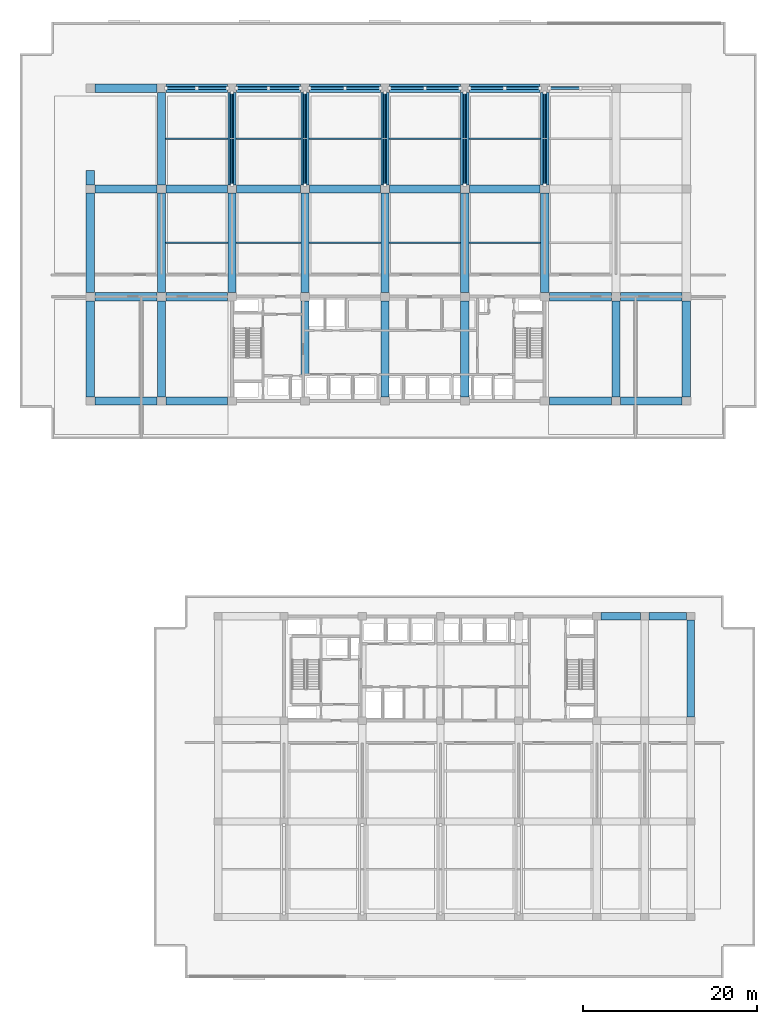
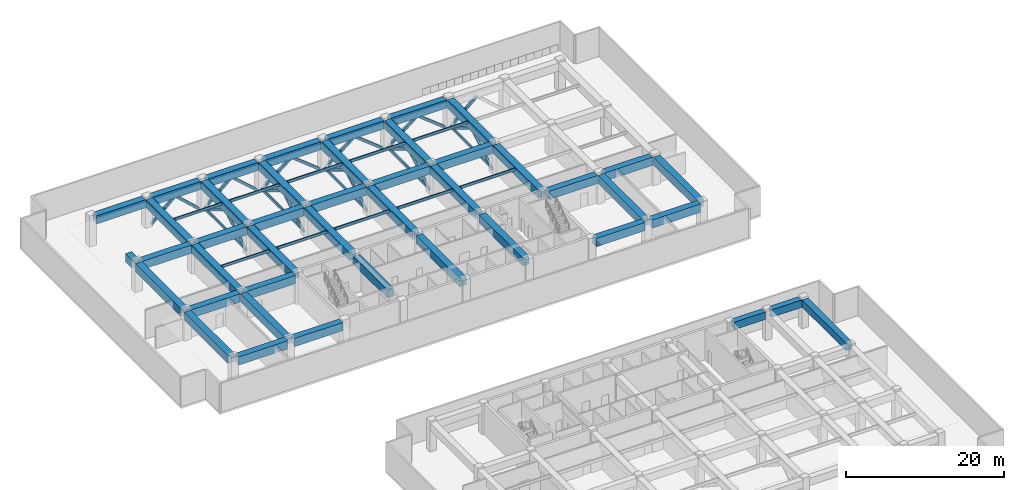
# One storey, part 2 of 21: 54 beams, 26 members.
"""IFC4 building model written with IfcOpenShell, lengths in metres."""

from ifc_helpers import new_model, si_unit, direction, frame, origin, origin_2d, place, context, subcontext, project, spatial, rectangle, hollow_rectangle, hollow_circle, i_section, extrude, material, material_profile, profile_set, type_object, element, save


model = new_model("IFC4")

# Units and contexts
model_context = context("Model", 3, precision=1e-05, world=origin(), true_north=direction((0.0, 1.0)))
body_context = subcontext(model_context, "Body", "Model", "MODEL_VIEW")
ifc_project = project(units=[si_unit("LENGTHUNIT", "METRE"), si_unit("AREAUNIT", "SQUARE_METRE"), si_unit("VOLUMEUNIT", "CUBIC_METRE"), si_unit("PLANEANGLEUNIT", "RADIAN"), si_unit("MASSUNIT", "GRAM", prefix="KILO")], contexts=[model_context])

# Site, building, storey
site_placement = place(None, origin())
site = spatial("IfcSite", under=ifc_project, at=site_placement, CompositionType="ELEMENT")
building_placement = place(site_placement, origin())
building = spatial("IfcBuilding", under=site, at=building_placement, Name="Korimba Cascade Residences", CompositionType="ELEMENT")
storey_placement = place(building_placement, frame((0.0, 0.0, 76.0)))
storey = spatial("IfcBuildingStorey", under=building, at=storey_placement, Name="L21", CompositionType="ELEMENT", Elevation=76.0)

# Beams
ifc_material_1 = material(Name="Steel S355", Category="steel")
ifc_material_profile_1 = material_profile(ifc_material_1, i_section(OverallWidth=0.1787109375, OverallDepth=0.409423828125, WebThickness=0.0087890625, FlangeThickness=0.014404296875, FilletRadius=0.01025390625, at=origin_2d()), Name="Steel S355")
ifc_profile_set_1 = profile_set([ifc_material_profile_1], Name="Steel S355")
beam_type_1 = type_object("IfcBeamType", Name="BM-STL-UB406", PredefinedType="JOIST", material=ifc_profile_set_1)
beam_1_placement = place(storey_placement, frame((68.47509765625, 73.39990234375, 4.275390625), z_axis=(1.0, 0.0, 0.0), x_axis=(0.0, 1.0, 0.0)))
element("IfcBeam", 1, at=beam_1_placement, inside=storey, type_object=beam_type_1, Name="L21 T1 Floor Joist 1.2", PredefinedType="JOIST", context=body_context, shape_type="SweptSolid", body=[
    extrude(i_section(OverallWidth=0.1787109375, OverallDepth=0.409423828125, WebThickness=0.0087890625, FlangeThickness=0.014404296875, FilletRadius=0.01025390625, at=origin_2d()), origin(), (0.0, 0.0, 1.0), 7.14990234375),
])
beam_2_placement = place(storey_placement, frame((76.574951171875, 73.39990234375, 4.275390625), z_axis=(1.0, 0.0, 0.0), x_axis=(0.0, 1.0, 0.0)))
element("IfcBeam", 2, at=beam_2_placement, inside=storey, type_object=beam_type_1, Name="L21 T1 Floor Joist 1.3", PredefinedType="JOIST", context=body_context, shape_type="SweptSolid", body=[
    extrude(i_section(OverallWidth=0.1787109375, OverallDepth=0.409423828125, WebThickness=0.0087890625, FlangeThickness=0.014404296875, FilletRadius=0.01025390625, at=origin_2d()), origin(), (0.0, 0.0, 1.0), 7.449951171875),
])
for number, where, z_axis, x_axis, name in (
    (3, (84.97509765625, 73.39990234375, 4.275390625), (1.0, 0.0, 0.0), (0.0, 1.0, 0.0), "L21 T1 Floor Joist 1.4"),
    (4, (94.175048828125, 73.39990234375, 4.275390625), (1.0, 0.0, 0.0), (0.0, 1.0, 0.0), "L21 T1 Floor Joist 1.5"),
    (5, (103.375, 73.39990234375, 4.275390625), (1.0, 0.0, 0.0), (0.0, 1.0, 0.0), "L21 T1 Floor Joist 1.6"),
):
    element("IfcBeam", number, at=place(storey_placement, frame(where, z_axis=z_axis, x_axis=x_axis)), inside=storey, type_object=beam_type_1, Name=name, PredefinedType="JOIST", context=body_context, shape_type="SweptSolid", body=[
        extrude(i_section(OverallWidth=0.1787109375, OverallDepth=0.409423828125, WebThickness=0.0087890625, FlangeThickness=0.014404296875, FilletRadius=0.01025390625, at=origin_2d()), origin(), (0.0, 0.0, 1.0), 8.25),
    ])
beam_3_placement = place(storey_placement, frame((68.47509765625, 85.39990234375, 4.275390625), z_axis=(1.0, 0.0, 0.0), x_axis=(0.0, 1.0, 0.0)))
element("IfcBeam", 6, at=beam_3_placement, inside=storey, type_object=beam_type_1, Name="L21 T1 Floor Joist 2.2", PredefinedType="JOIST", context=body_context, shape_type="SweptSolid", body=[
    extrude(i_section(OverallWidth=0.1787109375, OverallDepth=0.409423828125, WebThickness=0.0087890625, FlangeThickness=0.014404296875, FilletRadius=0.01025390625, at=origin_2d()), origin(), (0.0, 0.0, 1.0), 7.14990234375),
])
beam_4_placement = place(storey_placement, frame((76.574951171875, 85.39990234375, 4.275390625), z_axis=(1.0, 0.0, 0.0), x_axis=(0.0, 1.0, 0.0)))
element("IfcBeam", 7, at=beam_4_placement, inside=storey, type_object=beam_type_1, Name="L21 T1 Floor Joist 2.3", PredefinedType="JOIST", context=body_context, shape_type="SweptSolid", body=[
    extrude(i_section(OverallWidth=0.1787109375, OverallDepth=0.409423828125, WebThickness=0.0087890625, FlangeThickness=0.014404296875, FilletRadius=0.01025390625, at=origin_2d()), origin(), (0.0, 0.0, 1.0), 7.449951171875),
])
for number, where, z_axis, x_axis, name in (
    (8, (84.97509765625, 85.39990234375, 4.275390625), (1.0, 0.0, 0.0), (0.0, 1.0, 0.0), "L21 T1 Floor Joist 2.4"),
    (9, (94.175048828125, 85.39990234375, 4.275390625), (1.0, 0.0, 0.0), (0.0, 1.0, 0.0), "L21 T1 Floor Joist 2.5"),
    (10, (103.375, 85.39990234375, 4.275390625), (1.0, 0.0, 0.0), (0.0, 1.0, 0.0), "L21 T1 Floor Joist 2.6"),
):
    element("IfcBeam", number, at=place(storey_placement, frame(where, z_axis=z_axis, x_axis=x_axis)), inside=storey, type_object=beam_type_1, Name=name, PredefinedType="JOIST", context=body_context, shape_type="SweptSolid", body=[
        extrude(i_section(OverallWidth=0.1787109375, OverallDepth=0.409423828125, WebThickness=0.0087890625, FlangeThickness=0.014404296875, FilletRadius=0.01025390625, at=origin_2d()), origin(), (0.0, 0.0, 1.0), 8.25),
    ])
ifc_material_2 = material(Name="Concrete C65/80", Category="concrete")
ifc_material_profile_2 = material_profile(ifc_material_2, rectangle(XDim=0.85009765625, YDim=1.14990234375, at=origin_2d()), Name="Concrete C65/80")
ifc_profile_set_2 = profile_set([ifc_material_profile_2], Name="Concrete C65/80")
beam_type_2 = type_object("IfcBeamType", Name="BM-TRF-1150", PredefinedType="T_BEAM", material=ifc_profile_set_2)
beam_5_placement = place(storey_placement, frame((118.574951171875, 30.39990234375, 3.905029296875), z_axis=(1.0, 0.0, 0.0), x_axis=(0.0, 1.0, 0.0)))
element("IfcBeam", 11, at=beam_5_placement, inside=storey, type_object=beam_type_2, Name="L21 T2 E-W Girder Y4 Bay 6", PredefinedType="T_BEAM", context=body_context, shape_type="SweptSolid", body=[
    extrude(rectangle(XDim=0.85009765625, YDim=1.14990234375, at=origin_2d()), origin(), (0.0, 0.0, 1.0), 4.550048828125),
])
beam_6_placement = place(storey_placement, frame((124.074951171875, 30.39990234375, 3.905029296875), z_axis=(1.0, 0.0, 0.0), x_axis=(0.0, 1.0, 0.0)))
element("IfcBeam", 12, at=beam_6_placement, inside=storey, type_object=beam_type_2, Name="L21 T2 E-W Girder Y4 Bay 7", PredefinedType="T_BEAM", context=body_context, shape_type="SweptSolid", body=[
    extrude(rectangle(XDim=0.85009765625, YDim=1.14990234375, at=origin_2d()), origin(), (0.0, 0.0, 1.0), 4.35009765625),
])
beam_7_placement = place(storey_placement, frame((128.89990234375, 18.824951171875, 3.905029296875), z_axis=(0.0, 1.0, 0.0), x_axis=(-1.0, 0.0, 0.0)))
element("IfcBeam", 13, at=beam_7_placement, inside=storey, type_object=beam_type_2, Name="L21 T2 N-S Girder X8 Seg 3", PredefinedType="T_BEAM", context=body_context, shape_type="SweptSolid", body=[
    extrude(rectangle(XDim=0.85009765625, YDim=1.14990234375, at=origin_2d()), origin(), (0.0, 0.0, 1.0), 11.150146484375),
])
ifc_material_profile_3 = material_profile(ifc_material_2, rectangle(XDim=0.949951171875, YDim=1.25, at=origin_2d()), Name="Concrete C65/80")
ifc_profile_set_3 = profile_set([ifc_material_profile_3], Name="Concrete C65/80")
beam_type_3 = type_object("IfcBeamType", Name="BM-TRF-1250", PredefinedType="T_BEAM", material=ifc_profile_set_3)
beam_8_placement = place(storey_placement, frame((60.324951171875, 55.199951171875, 3.85498046875), z_axis=(1.0, 0.0, 0.0), x_axis=(0.0, 1.0, 0.0)))
element("IfcBeam", 14, at=beam_8_placement, inside=storey, type_object=beam_type_3, Name="L21 T1 E-W Girder Y1 Bay 1", PredefinedType="T_BEAM", context=body_context, shape_type="SweptSolid", body=[
    extrude(rectangle(XDim=0.949951171875, YDim=1.25, at=origin_2d()), origin(), (0.0, 0.0, 1.0), 7.150146484375),
])
beam_9_placement = place(storey_placement, frame((68.52490234375, 55.199951171875, 3.85498046875), z_axis=(1.0, 0.0, 0.0), x_axis=(0.0, 1.0, 0.0)))
element("IfcBeam", 15, at=beam_9_placement, inside=storey, type_object=beam_type_3, Name="L21 T1 E-W Girder Y1 Bay 2", PredefinedType="T_BEAM", context=body_context, shape_type="SweptSolid", body=[
    extrude(rectangle(XDim=0.949951171875, YDim=1.25, at=origin_2d()), origin(), (0.0, 0.0, 1.0), 7.050048828125),
])
beam_10_placement = place(storey_placement, frame((112.625, 55.199951171875, 3.85498046875), z_axis=(1.0, 0.0, 0.0), x_axis=(0.0, 1.0, 0.0)))
element("IfcBeam", 16, at=beam_10_placement, inside=storey, type_object=beam_type_3, Name="L21 T1 E-W Girder Y1 Bay 7", PredefinedType="T_BEAM", context=body_context, shape_type="SweptSolid", body=[
    extrude(rectangle(XDim=0.949951171875, YDim=1.25, at=origin_2d()), origin(), (0.0, 0.0, 1.0), 7.14990234375),
])
beam_11_placement = place(storey_placement, frame((120.824951171875, 55.199951171875, 3.85498046875), z_axis=(1.0, 0.0, 0.0), x_axis=(0.0, 1.0, 0.0)))
element("IfcBeam", 17, at=beam_11_placement, inside=storey, type_object=beam_type_3, Name="L21 T1 E-W Girder Y1 Bay 8", PredefinedType="T_BEAM", context=body_context, shape_type="SweptSolid", body=[
    extrude(rectangle(XDim=0.949951171875, YDim=1.25, at=origin_2d()), origin(), (0.0, 0.0, 1.0), 7.050048828125),
])
beam_12_placement = place(storey_placement, frame((60.324951171875, 67.199951171875, 3.85498046875), z_axis=(1.0, 0.0, 0.0), x_axis=(0.0, 1.0, 0.0)))
element("IfcBeam", 18, at=beam_12_placement, inside=storey, type_object=beam_type_3, Name="L21 T1 E-W Girder Y2 Bay 1", PredefinedType="T_BEAM", context=body_context, shape_type="SweptSolid", body=[
    extrude(rectangle(XDim=0.949951171875, YDim=1.25, at=origin_2d()), origin(), (0.0, 0.0, 1.0), 7.150146484375),
])
beam_13_placement = place(storey_placement, frame((68.52490234375, 67.199951171875, 3.85498046875), z_axis=(1.0, 0.0, 0.0), x_axis=(0.0, 1.0, 0.0)))
element("IfcBeam", 19, at=beam_13_placement, inside=storey, type_object=beam_type_3, Name="L21 T1 E-W Girder Y2 Bay 2", PredefinedType="T_BEAM", context=body_context, shape_type="SweptSolid", body=[
    extrude(rectangle(XDim=0.949951171875, YDim=1.25, at=origin_2d()), origin(), (0.0, 0.0, 1.0), 7.050048828125),
])
beam_14_placement = place(storey_placement, frame((112.625, 67.199951171875, 3.85498046875), z_axis=(1.0, 0.0, 0.0), x_axis=(0.0, 1.0, 0.0)))
element("IfcBeam", 20, at=beam_14_placement, inside=storey, type_object=beam_type_3, Name="L21 T1 E-W Girder Y2 Bay 7", PredefinedType="T_BEAM", context=body_context, shape_type="SweptSolid", body=[
    extrude(rectangle(XDim=0.949951171875, YDim=1.25, at=origin_2d()), origin(), (0.0, 0.0, 1.0), 7.14990234375),
])
beam_15_placement = place(storey_placement, frame((120.824951171875, 67.199951171875, 3.85498046875), z_axis=(1.0, 0.0, 0.0), x_axis=(0.0, 1.0, 0.0)))
element("IfcBeam", 21, at=beam_15_placement, inside=storey, type_object=beam_type_3, Name="L21 T1 E-W Girder Y2 Bay 8", PredefinedType="T_BEAM", context=body_context, shape_type="SweptSolid", body=[
    extrude(rectangle(XDim=0.949951171875, YDim=1.25, at=origin_2d()), origin(), (0.0, 0.0, 1.0), 7.050048828125),
])
beam_16_placement = place(storey_placement, frame((60.324951171875, 79.60009765625, 3.85498046875), z_axis=(1.0, 0.0, 0.0), x_axis=(0.0, 1.0, 0.0)))
element("IfcBeam", 22, at=beam_16_placement, inside=storey, type_object=beam_type_3, Name="L21 T1 E-W Girder Y3 Bay 1", PredefinedType="T_BEAM", context=body_context, shape_type="SweptSolid", body=[
    extrude(rectangle(XDim=0.949951171875, YDim=1.25, at=origin_2d()), origin(), (0.0, 0.0, 1.0), 7.150146484375),
])
beam_17_placement = place(storey_placement, frame((68.52490234375, 79.60009765625, 3.85498046875), z_axis=(1.0, 0.0, 0.0), x_axis=(0.0, 1.0, 0.0)))
element("IfcBeam", 23, at=beam_17_placement, inside=storey, type_object=beam_type_3, Name="L21 T1 E-W Girder Y3 Bay 2", PredefinedType="T_BEAM", context=body_context, shape_type="SweptSolid", body=[
    extrude(rectangle(XDim=0.949951171875, YDim=1.25, at=origin_2d()), origin(), (0.0, 0.0, 1.0), 7.050048828125),
])
beam_18_placement = place(storey_placement, frame((76.625, 79.60009765625, 3.85498046875), z_axis=(1.0, 0.0, 0.0), x_axis=(0.0, 1.0, 0.0)))
element("IfcBeam", 24, at=beam_18_placement, inside=storey, type_object=beam_type_3, Name="L21 T1 E-W Girder Y3 Bay 3", PredefinedType="T_BEAM", context=body_context, shape_type="SweptSolid", body=[
    extrude(rectangle(XDim=0.949951171875, YDim=1.25, at=origin_2d()), origin(), (0.0, 0.0, 1.0), 7.35009765625),
])
beam_19_placement = place(storey_placement, frame((85.02490234375, 79.60009765625, 3.85498046875), z_axis=(1.0, 0.0, 0.0), x_axis=(0.0, 1.0, 0.0)))
element("IfcBeam", 25, at=beam_19_placement, inside=storey, type_object=beam_type_3, Name="L21 T1 E-W Girder Y3 Bay 4", PredefinedType="T_BEAM", context=body_context, shape_type="SweptSolid", body=[
    extrude(rectangle(XDim=0.949951171875, YDim=1.25, at=origin_2d()), origin(), (0.0, 0.0, 1.0), 8.150146484375),
])
for number, where, z_axis, x_axis, name in (
    (26, (94.22509765625, 79.60009765625, 3.85498046875), (1.0, 0.0, 0.0), (0.0, 1.0, 0.0), "L21 T1 E-W Girder Y3 Bay 5"),
    (27, (103.425048828125, 79.60009765625, 3.85498046875), (1.0, 0.0, 0.0), (0.0, 1.0, 0.0), "L21 T1 E-W Girder Y3 Bay 6"),
):
    element("IfcBeam", number, at=place(storey_placement, frame(where, z_axis=z_axis, x_axis=x_axis)), inside=storey, type_object=beam_type_3, Name=name, PredefinedType="T_BEAM", context=body_context, shape_type="SweptSolid", body=[
        extrude(rectangle(XDim=0.949951171875, YDim=1.25, at=origin_2d()), origin(), (0.0, 0.0, 1.0), 8.14990234375),
    ])
beam_20_placement = place(storey_placement, frame((60.324951171875, 91.199951171875, 3.85498046875), z_axis=(1.0, 0.0, 0.0), x_axis=(0.0, 1.0, 0.0)))
element("IfcBeam", 28, at=beam_20_placement, inside=storey, type_object=beam_type_3, Name="L21 T1 E-W Girder Y4 Bay 1", PredefinedType="T_BEAM", context=body_context, shape_type="SweptSolid", body=[
    extrude(rectangle(XDim=0.949951171875, YDim=1.25, at=origin_2d()), origin(), (0.0, 0.0, 1.0), 7.150146484375),
])
beam_21_placement = place(storey_placement, frame((68.52490234375, 91.199951171875, 3.85498046875), z_axis=(1.0, 0.0, 0.0), x_axis=(0.0, 1.0, 0.0)))
element("IfcBeam", 29, at=beam_21_placement, inside=storey, type_object=beam_type_3, Name="L21 T1 E-W Girder Y4 Bay 2", PredefinedType="T_BEAM", context=body_context, shape_type="SweptSolid", body=[
    extrude(rectangle(XDim=0.949951171875, YDim=1.25, at=origin_2d()), origin(), (0.0, 0.0, 1.0), 7.050048828125),
])
beam_22_placement = place(storey_placement, frame((76.625, 91.199951171875, 3.85498046875), z_axis=(1.0, 0.0, 0.0), x_axis=(0.0, 1.0, 0.0)))
element("IfcBeam", 30, at=beam_22_placement, inside=storey, type_object=beam_type_3, Name="L21 T1 E-W Girder Y4 Bay 3", PredefinedType="T_BEAM", context=body_context, shape_type="SweptSolid", body=[
    extrude(rectangle(XDim=0.949951171875, YDim=1.25, at=origin_2d()), origin(), (0.0, 0.0, 1.0), 7.35009765625),
])
beam_23_placement = place(storey_placement, frame((85.02490234375, 91.199951171875, 3.85498046875), z_axis=(1.0, 0.0, 0.0), x_axis=(0.0, 1.0, 0.0)))
element("IfcBeam", 31, at=beam_23_placement, inside=storey, type_object=beam_type_3, Name="L21 T1 E-W Girder Y4 Bay 4", PredefinedType="T_BEAM", context=body_context, shape_type="SweptSolid", body=[
    extrude(rectangle(XDim=0.949951171875, YDim=1.25, at=origin_2d()), origin(), (0.0, 0.0, 1.0), 8.150146484375),
])
for number, where, z_axis, x_axis, name in (
    (32, (94.22509765625, 91.199951171875, 3.85498046875), (1.0, 0.0, 0.0), (0.0, 1.0, 0.0), "L21 T1 E-W Girder Y4 Bay 5"),
    (33, (103.425048828125, 91.199951171875, 3.85498046875), (1.0, 0.0, 0.0), (0.0, 1.0, 0.0), "L21 T1 E-W Girder Y4 Bay 6"),
):
    element("IfcBeam", number, at=place(storey_placement, frame(where, z_axis=z_axis, x_axis=x_axis)), inside=storey, type_object=beam_type_3, Name=name, PredefinedType="T_BEAM", context=body_context, shape_type="SweptSolid", body=[
        extrude(rectangle(XDim=0.949951171875, YDim=1.25, at=origin_2d()), origin(), (0.0, 0.0, 1.0), 8.14990234375),
    ])
beam_24_placement = place(storey_placement, frame((59.800048828125, 55.675048828125, 3.85498046875), z_axis=(0.0, 1.0, 0.0), x_axis=(-1.0, 0.0, 0.0)))
element("IfcBeam", 34, at=beam_24_placement, inside=storey, type_object=beam_type_3, Name="L21 T1 N-S Girder X1 Seg 1", PredefinedType="T_BEAM", context=body_context, shape_type="SweptSolid", body=[
    extrude(rectangle(XDim=0.949951171875, YDim=1.25, at=origin_2d()), origin(), (0.0, 0.0, 1.0), 11.050048828125),
])
beam_25_placement = place(storey_placement, frame((59.800048828125, 67.675048828125, 3.85498046875), z_axis=(0.0, 1.0, 0.0), x_axis=(-1.0, 0.0, 0.0)))
element("IfcBeam", 35, at=beam_25_placement, inside=storey, type_object=beam_type_3, Name="L21 T1 N-S Girder X1 Seg 2", PredefinedType="T_BEAM", context=body_context, shape_type="SweptSolid", body=[
    extrude(rectangle(XDim=0.949951171875, YDim=1.25, at=origin_2d()), origin(), (0.0, 0.0, 1.0), 11.449951171875),
])
beam_26_placement = place(storey_placement, frame((59.800048828125, 80.074951171875, 3.85498046875), z_axis=(0.0, 1.0, 0.0), x_axis=(-1.0, 0.0, 0.0)))
element("IfcBeam", 36, at=beam_26_placement, inside=storey, type_object=beam_type_3, Name="L21 T1 N-S Girder X1 Seg 3", PredefinedType="T_BEAM", context=body_context, shape_type="SweptSolid", body=[
    extrude(rectangle(XDim=0.949951171875, YDim=1.25, at=origin_2d()), origin(), (0.0, 0.0, 1.0), 1.625),
])
beam_27_placement = place(storey_placement, frame((68.0, 55.675048828125, 3.85498046875), z_axis=(0.0, 1.0, 0.0), x_axis=(-1.0, 0.0, 0.0)))
element("IfcBeam", 37, at=beam_27_placement, inside=storey, type_object=beam_type_3, Name="L21 T1 N-S Girder X2 Seg 1", PredefinedType="T_BEAM", context=body_context, shape_type="SweptSolid", body=[
    extrude(rectangle(XDim=0.949951171875, YDim=1.25, at=origin_2d()), origin(), (0.0, 0.0, 1.0), 11.050048828125),
])
beam_28_placement = place(storey_placement, frame((68.0, 67.675048828125, 3.85498046875), z_axis=(0.0, 1.0, 0.0), x_axis=(-1.0, 0.0, 0.0)))
element("IfcBeam", 38, at=beam_28_placement, inside=storey, type_object=beam_type_3, Name="L21 T1 N-S Girder X2 Seg 2", PredefinedType="T_BEAM", context=body_context, shape_type="SweptSolid", body=[
    extrude(rectangle(XDim=0.949951171875, YDim=1.25, at=origin_2d()), origin(), (0.0, 0.0, 1.0), 11.449951171875),
])
beam_29_placement = place(storey_placement, frame((68.0, 80.074951171875, 3.85498046875), z_axis=(0.0, 1.0, 0.0), x_axis=(-1.0, 0.0, 0.0)))
element("IfcBeam", 39, at=beam_29_placement, inside=storey, type_object=beam_type_3, Name="L21 T1 N-S Girder X2 Seg 3", PredefinedType="T_BEAM", context=body_context, shape_type="SweptSolid", body=[
    extrude(rectangle(XDim=0.949951171875, YDim=1.25, at=origin_2d()), origin(), (0.0, 0.0, 1.0), 10.650146484375),
])
beam_30_placement = place(storey_placement, frame((76.10009765625, 67.675048828125, 3.85498046875), z_axis=(0.0, 1.0, 0.0), x_axis=(-1.0, 0.0, 0.0)))
element("IfcBeam", 40, at=beam_30_placement, inside=storey, type_object=beam_type_3, Name="L21 T1 N-S Girder X3 Seg 2", PredefinedType="T_BEAM", context=body_context, shape_type="SweptSolid", body=[
    extrude(rectangle(XDim=0.949951171875, YDim=1.25, at=origin_2d()), origin(), (0.0, 0.0, 1.0), 11.449951171875),
])
beam_31_placement = place(storey_placement, frame((76.10009765625, 80.074951171875, 3.85498046875), z_axis=(0.0, 1.0, 0.0), x_axis=(-1.0, 0.0, 0.0)))
element("IfcBeam", 41, at=beam_31_placement, inside=storey, type_object=beam_type_3, Name="L21 T1 N-S Girder X3 Seg 3", PredefinedType="T_BEAM", context=body_context, shape_type="SweptSolid", body=[
    extrude(rectangle(XDim=0.949951171875, YDim=1.25, at=origin_2d()), origin(), (0.0, 0.0, 1.0), 10.650146484375),
])
beam_32_placement = place(storey_placement, frame((84.5, 58.159912109375, 3.85498046875), z_axis=(0.0, 1.0, 0.0), x_axis=(-1.0, 0.0, 0.0)))
element("IfcBeam", 42, at=beam_32_placement, inside=storey, type_object=beam_type_3, Name="L21 T1 N-S Girder X4 Seg 1", PredefinedType="T_BEAM", context=body_context, shape_type="SweptSolid", body=[
    extrude(rectangle(XDim=0.949951171875, YDim=1.25, at=origin_2d()), origin(), (0.0, 0.0, 1.0), 8.565185546875),
])
beam_33_placement = place(storey_placement, frame((84.5, 67.675048828125, 3.85498046875), z_axis=(0.0, 1.0, 0.0), x_axis=(-1.0, 0.0, 0.0)))
element("IfcBeam", 43, at=beam_33_placement, inside=storey, type_object=beam_type_3, Name="L21 T1 N-S Girder X4 Seg 2", PredefinedType="T_BEAM", context=body_context, shape_type="SweptSolid", body=[
    extrude(rectangle(XDim=0.949951171875, YDim=1.25, at=origin_2d()), origin(), (0.0, 0.0, 1.0), 11.449951171875),
])
beam_34_placement = place(storey_placement, frame((84.5, 80.074951171875, 3.85498046875), z_axis=(0.0, 1.0, 0.0), x_axis=(-1.0, 0.0, 0.0)))
element("IfcBeam", 44, at=beam_34_placement, inside=storey, type_object=beam_type_3, Name="L21 T1 N-S Girder X4 Seg 3", PredefinedType="T_BEAM", context=body_context, shape_type="SweptSolid", body=[
    extrude(rectangle(XDim=0.949951171875, YDim=1.25, at=origin_2d()), origin(), (0.0, 0.0, 1.0), 10.650146484375),
])
beam_35_placement = place(storey_placement, frame((93.699951171875, 55.675048828125, 3.85498046875), z_axis=(0.0, 1.0, 0.0), x_axis=(-1.0, 0.0, 0.0)))
element("IfcBeam", 45, at=beam_35_placement, inside=storey, type_object=beam_type_3, Name="L21 T1 N-S Girder X5 Seg 1", PredefinedType="T_BEAM", context=body_context, shape_type="SweptSolid", body=[
    extrude(rectangle(XDim=0.949951171875, YDim=1.25, at=origin_2d()), origin(), (0.0, 0.0, 1.0), 11.050048828125),
])
beam_36_placement = place(storey_placement, frame((93.699951171875, 67.675048828125, 3.85498046875), z_axis=(0.0, 1.0, 0.0), x_axis=(-1.0, 0.0, 0.0)))
element("IfcBeam", 46, at=beam_36_placement, inside=storey, type_object=beam_type_3, Name="L21 T1 N-S Girder X5 Seg 2", PredefinedType="T_BEAM", context=body_context, shape_type="SweptSolid", body=[
    extrude(rectangle(XDim=0.949951171875, YDim=1.25, at=origin_2d()), origin(), (0.0, 0.0, 1.0), 11.449951171875),
])
beam_37_placement = place(storey_placement, frame((93.699951171875, 80.074951171875, 3.85498046875), z_axis=(0.0, 1.0, 0.0), x_axis=(-1.0, 0.0, 0.0)))
element("IfcBeam", 47, at=beam_37_placement, inside=storey, type_object=beam_type_3, Name="L21 T1 N-S Girder X5 Seg 3", PredefinedType="T_BEAM", context=body_context, shape_type="SweptSolid", body=[
    extrude(rectangle(XDim=0.949951171875, YDim=1.25, at=origin_2d()), origin(), (0.0, 0.0, 1.0), 10.650146484375),
])
beam_38_placement = place(storey_placement, frame((102.89990234375, 55.675048828125, 3.85498046875), z_axis=(0.0, 1.0, 0.0), x_axis=(-1.0, 0.0, 0.0)))
element("IfcBeam", 48, at=beam_38_placement, inside=storey, type_object=beam_type_3, Name="L21 T1 N-S Girder X6 Seg 1", PredefinedType="T_BEAM", context=body_context, shape_type="SweptSolid", body=[
    extrude(rectangle(XDim=0.949951171875, YDim=1.25, at=origin_2d()), origin(), (0.0, 0.0, 1.0), 11.050048828125),
])
beam_39_placement = place(storey_placement, frame((102.89990234375, 67.675048828125, 3.85498046875), z_axis=(0.0, 1.0, 0.0), x_axis=(-1.0, 0.0, 0.0)))
element("IfcBeam", 49, at=beam_39_placement, inside=storey, type_object=beam_type_3, Name="L21 T1 N-S Girder X6 Seg 2", PredefinedType="T_BEAM", context=body_context, shape_type="SweptSolid", body=[
    extrude(rectangle(XDim=0.949951171875, YDim=1.25, at=origin_2d()), origin(), (0.0, 0.0, 1.0), 11.449951171875),
])
beam_40_placement = place(storey_placement, frame((102.89990234375, 80.074951171875, 3.85498046875), z_axis=(0.0, 1.0, 0.0), x_axis=(-1.0, 0.0, 0.0)))
element("IfcBeam", 50, at=beam_40_placement, inside=storey, type_object=beam_type_3, Name="L21 T1 N-S Girder X6 Seg 3", PredefinedType="T_BEAM", context=body_context, shape_type="SweptSolid", body=[
    extrude(rectangle(XDim=0.949951171875, YDim=1.25, at=origin_2d()), origin(), (0.0, 0.0, 1.0), 10.650146484375),
])
beam_41_placement = place(storey_placement, frame((112.10009765625, 67.675048828125, 3.85498046875), z_axis=(0.0, 1.0, 0.0), x_axis=(-1.0, 0.0, 0.0)))
element("IfcBeam", 51, at=beam_41_placement, inside=storey, type_object=beam_type_3, Name="L21 T1 N-S Girder X7 Seg 2", PredefinedType="T_BEAM", context=body_context, shape_type="SweptSolid", body=[
    extrude(rectangle(XDim=0.949951171875, YDim=1.25, at=origin_2d()), origin(), (0.0, 0.0, 1.0), 11.449951171875),
])
beam_42_placement = place(storey_placement, frame((112.10009765625, 80.074951171875, 3.85498046875), z_axis=(0.0, 1.0, 0.0), x_axis=(-1.0, 0.0, 0.0)))
element("IfcBeam", 52, at=beam_42_placement, inside=storey, type_object=beam_type_3, Name="L21 T1 N-S Girder X7 Seg 3", PredefinedType="T_BEAM", context=body_context, shape_type="SweptSolid", body=[
    extrude(rectangle(XDim=0.949951171875, YDim=1.25, at=origin_2d()), origin(), (0.0, 0.0, 1.0), 10.650146484375),
])
for number, where, z_axis, x_axis, name in (
    (53, (120.300048828125, 55.675048828125, 3.85498046875), (0.0, 1.0, 0.0), (-1.0, 0.0, 0.0), "L21 T1 N-S Girder X8 Seg 1"),
    (54, (128.39990234375, 55.675048828125, 3.85498046875), (0.0, 1.0, 0.0), (-1.0, 0.0, 0.0), "L21 T1 N-S Girder X9 Seg 1"),
):
    element("IfcBeam", number, at=place(storey_placement, frame(where, z_axis=z_axis, x_axis=x_axis)), inside=storey, type_object=beam_type_3, Name=name, PredefinedType="T_BEAM", context=body_context, shape_type="SweptSolid", body=[
        extrude(rectangle(XDim=0.949951171875, YDim=1.25, at=origin_2d()), origin(), (0.0, 0.0, 1.0), 11.050048828125),
    ])

# Members
ifc_material_3 = material(Name="Steel S460", Category="steel")
ifc_material_profile_4 = material_profile(ifc_material_3, hollow_rectangle(XDim=0.35009765625, YDim=0.35009765625, WallThickness=0.01611328125, InnerFilletRadius=0.01611328125, OuterFilletRadius=0.031982421875, at=origin_2d()), Name="Steel S460")
ifc_profile_set_4 = profile_set([ifc_material_profile_4], Name="Steel S460")
member_type_1 = type_object("IfcMemberType", Name="MEM-BLT-SHS350", PredefinedType="BRACE", material=ifc_profile_set_4)
member_1_placement = place(storey_placement, frame((68.52490234375, 91.199951171875, 0.0), z_axis=(0.737300375415, 0.0, 0.67556506453), x_axis=(0.0, 1.0, 0.0)))
element("IfcMember", 55, at=member_1_placement, inside=storey, type_object=member_type_1, Name="L21 T1 Belt Chevron 1A", PredefinedType="BRACE", context=body_context, shape_type="SweptSolid", body=[
    extrude(hollow_rectangle(XDim=0.35009765625, YDim=0.35009765625, WallThickness=0.01611328125, InnerFilletRadius=0.01611328125, OuterFilletRadius=0.031982421875, at=origin_2d()), origin(), (0.0, 0.0, 1.0), 4.78125),
])
member_2_placement = place(storey_placement, frame((75.574951171875, 91.199951171875, 0.0), z_axis=(-0.737277069496, 0.0, 0.675590499337), x_axis=(0.0, -1.0, 0.0)))
element("IfcMember", 56, at=member_2_placement, inside=storey, type_object=member_type_1, Name="L21 T1 Belt Chevron 1B", PredefinedType="BRACE", context=body_context, shape_type="SweptSolid", body=[
    extrude(hollow_rectangle(XDim=0.35009765625, YDim=0.35009765625, WallThickness=0.01611328125, InnerFilletRadius=0.01611328125, OuterFilletRadius=0.031982421875, at=origin_2d()), origin(), (0.0, 0.0, 1.0), 4.781005859375),
])
for number, where, z_axis, x_axis, name in (
    (57, (76.625, 91.199951171875, 0.0), (0.751125159107, 0.0, 0.660159825615), (0.0, 1.0, 0.0), "L21 T1 Belt Chevron 2A"),
    (58, (83.97509765625, 91.199951171875, 0.0), (-0.751125159107, 0.0, 0.660159825615), (0.0, -1.0, 0.0), "L21 T1 Belt Chevron 2B"),
):
    element("IfcMember", number, at=place(storey_placement, frame(where, z_axis=z_axis, x_axis=x_axis)), inside=storey, type_object=member_type_1, Name=name, PredefinedType="BRACE", context=body_context, shape_type="SweptSolid", body=[
        extrude(hollow_rectangle(XDim=0.35009765625, YDim=0.35009765625, WallThickness=0.01611328125, InnerFilletRadius=0.01611328125, OuterFilletRadius=0.031982421875, at=origin_2d()), origin(), (0.0, 0.0, 1.0), 4.892822265625),
    ])
member_3_placement = place(storey_placement, frame((85.02490234375, 91.199951171875, 0.0), z_axis=(0.783691541548, 0.0, 0.621150197381), x_axis=(0.0, 1.0, 0.0)))
element("IfcMember", 59, at=member_3_placement, inside=storey, type_object=member_type_1, Name="L21 T1 Belt Chevron 3A", PredefinedType="BRACE", context=body_context, shape_type="SweptSolid", body=[
    extrude(hollow_rectangle(XDim=0.35009765625, YDim=0.35009765625, WallThickness=0.01611328125, InnerFilletRadius=0.01611328125, OuterFilletRadius=0.031982421875, at=origin_2d()), origin(), (0.0, 0.0, 1.0), 5.199951171875),
])
for number, where, z_axis, x_axis, name in (
    (60, (93.175048828125, 91.199951171875, 0.0), (-0.783673425894, 0.0, 0.621173052818), (0.0, -1.0, 0.0), "L21 T1 Belt Chevron 3B"),
    (61, (94.22509765625, 91.199951171875, 0.0), (0.783673425894, 0.0, 0.621173052818), (0.0, 1.0, 0.0), "L21 T1 Belt Chevron 4A"),
    (62, (102.375, 91.199951171875, 0.0), (-0.783673425894, 0.0, 0.621173052818), (0.0, -1.0, 0.0), "L21 T1 Belt Chevron 4B"),
    (63, (103.425048828125, 91.199951171875, 0.0), (0.783673425894, 0.0, 0.621173052818), (0.0, 1.0, 0.0), "L21 T1 Belt Chevron 5A"),
    (64, (111.574951171875, 91.199951171875, 0.0), (-0.783673425894, 0.0, 0.621173052818), (0.0, -1.0, 0.0), "L21 T1 Belt Chevron 5B"),
):
    element("IfcMember", number, at=place(storey_placement, frame(where, z_axis=z_axis, x_axis=x_axis)), inside=storey, type_object=member_type_1, Name=name, PredefinedType="BRACE", context=body_context, shape_type="SweptSolid", body=[
        extrude(hollow_rectangle(XDim=0.35009765625, YDim=0.35009765625, WallThickness=0.01611328125, InnerFilletRadius=0.01611328125, OuterFilletRadius=0.031982421875, at=origin_2d()), origin(), (0.0, 0.0, 1.0), 5.19970703125),
    ])
member_4_placement = place(storey_placement, frame((112.625, 91.199951171875, 0.0), z_axis=(0.742000185231, 0.0, 0.670399675654), x_axis=(0.0, 1.0, 0.0)))
element("IfcMember", 65, at=member_4_placement, inside=storey, type_object=member_type_1, Name="L21 T1 Belt Chevron 6A", PredefinedType="BRACE", context=body_context, shape_type="SweptSolid", body=[
    extrude(hollow_rectangle(XDim=0.35009765625, YDim=0.35009765625, WallThickness=0.01611328125, InnerFilletRadius=0.01611328125, OuterFilletRadius=0.031982421875, at=origin_2d()), origin(), (0.0, 0.0, 1.0), 4.81787109375),
])
ifc_material_profile_5 = material_profile(ifc_material_3, hollow_circle(Radius=0.203125, WallThickness=0.0126953125, at=origin_2d()), Name="Steel S460")
ifc_profile_set_5 = profile_set([ifc_material_profile_5], Name="Steel S460")
member_type_2 = type_object("IfcMemberType", Name="MEM-BRG-CHS406", PredefinedType="BRACE", material=ifc_profile_set_5)
for number, where, z_axis, x_axis, name in (
    (66, (76.10009765625, 80.074951171875, 0.0), (0.0, 0.855002953151, 0.518623129164), (-1.0, 0.0, 0.0), "L21 T1 Outrigger Chevron 1A"),
    (67, (84.5, 80.074951171875, 0.0), (0.0, 0.855002953151, 0.518623129164), (-1.0, 0.0, 0.0), "L21 T1 Outrigger Chevron 2A"),
    (68, (93.699951171875, 80.074951171875, 0.0), (0.0, 0.855002953151, 0.518623129164), (-1.0, 0.0, 0.0), "L21 T1 Outrigger Chevron 3A"),
    (69, (102.89990234375, 80.074951171875, 0.0), (0.0, 0.855002953151, 0.518623129164), (-1.0, 0.0, 0.0), "L21 T1 Outrigger Chevron 4A"),
    (70, (112.10009765625, 80.074951171875, 0.0), (0.0, 0.855002953151, 0.518623129164), (-1.0, 0.0, 0.0), "L21 T1 Outrigger Chevron 5A"),
):
    element("IfcMember", number, at=place(storey_placement, frame(where, z_axis=z_axis, x_axis=x_axis)), inside=storey, type_object=member_type_2, Name=name, PredefinedType="BRACE", context=body_context, shape_type="SweptSolid", body=[
        extrude(hollow_circle(Radius=0.203125, WallThickness=0.0126953125, at=origin_2d()), origin(), (0.0, 0.0, 1.0), 6.22802734375),
    ])
ifc_material_profile_6 = material_profile(ifc_material_3, hollow_rectangle(XDim=0.199951171875, YDim=0.39990234375, WallThickness=0.012451171875, InnerFilletRadius=0.012451171875, OuterFilletRadius=0.02490234375, at=origin_2d()), Name="Steel S460")
ifc_profile_set_6 = profile_set([ifc_material_profile_6], Name="Steel S460")
member_type_3 = type_object("IfcMemberType", Name="MEM-OUT-CHD400", PredefinedType="CHORD", material=ifc_profile_set_6)
for number, where, z_axis, x_axis, name in (
    (71, (76.10009765625, 80.074951171875, 0.199951171875), (0.0, 1.0, 0.0), (-1.0, 0.0, 0.0), "L21 T1 Outrigger Bottom Tie 1"),
    (72, (84.5, 80.074951171875, 0.199951171875), (0.0, 1.0, 0.0), (-1.0, 0.0, 0.0), "L21 T1 Outrigger Bottom Tie 2"),
    (73, (93.699951171875, 80.074951171875, 0.199951171875), (0.0, 1.0, 0.0), (-1.0, 0.0, 0.0), "L21 T1 Outrigger Bottom Tie 3"),
    (74, (102.89990234375, 80.074951171875, 0.199951171875), (0.0, 1.0, 0.0), (-1.0, 0.0, 0.0), "L21 T1 Outrigger Bottom Tie 4"),
    (75, (112.10009765625, 80.074951171875, 0.199951171875), (0.0, 1.0, 0.0), (-1.0, 0.0, 0.0), "L21 T1 Outrigger Bottom Tie 5"),
):
    element("IfcMember", number, at=place(storey_placement, frame(where, z_axis=z_axis, x_axis=x_axis)), inside=storey, type_object=member_type_3, Name=name, PredefinedType="CHORD", context=body_context, shape_type="SweptSolid", body=[
        extrude(hollow_rectangle(XDim=0.199951171875, YDim=0.39990234375, WallThickness=0.012451171875, InnerFilletRadius=0.012451171875, OuterFilletRadius=0.02490234375, at=origin_2d()), origin(), (0.0, 0.0, 1.0), 10.650146484375),
    ])
ifc_material_profile_7 = material_profile(ifc_material_3, hollow_rectangle(XDim=0.39990234375, YDim=0.39990234375, WallThickness=0.01611328125, InnerFilletRadius=0.01611328125, OuterFilletRadius=0.031982421875, at=origin_2d()), Name="Steel S460")
ifc_profile_set_7 = profile_set([ifc_material_profile_7], Name="Steel S460")
member_type_4 = type_object("IfcMemberType", Name="MEM-OUT-SHS400", PredefinedType="BRACE", material=ifc_profile_set_7)
for number, where, z_axis, x_axis, name in (
    (76, (76.10009765625, 90.72509765625, 0.0), (0.0, -0.855013496388, 0.518605747167), (1.0, 0.0, 0.0), "L21 T1 Outrigger Chevron 1B"),
    (77, (84.5, 90.72509765625, 0.0), (0.0, -0.855013496388, 0.518605747167), (1.0, 0.0, 0.0), "L21 T1 Outrigger Chevron 2B"),
    (78, (93.699951171875, 90.72509765625, 0.0), (0.0, -0.855013496388, 0.518605747167), (1.0, 0.0, 0.0), "L21 T1 Outrigger Chevron 3B"),
    (79, (102.89990234375, 90.72509765625, 0.0), (0.0, -0.855013496388, 0.518605747167), (1.0, 0.0, 0.0), "L21 T1 Outrigger Chevron 4B"),
    (80, (112.10009765625, 90.72509765625, 0.0), (0.0, -0.855013496388, 0.518605747167), (1.0, 0.0, 0.0), "L21 T1 Outrigger Chevron 5B"),
):
    element("IfcMember", number, at=place(storey_placement, frame(where, z_axis=z_axis, x_axis=x_axis)), inside=storey, type_object=member_type_4, Name=name, PredefinedType="BRACE", context=body_context, shape_type="SweptSolid", body=[
        extrude(hollow_rectangle(XDim=0.39990234375, YDim=0.39990234375, WallThickness=0.01611328125, InnerFilletRadius=0.01611328125, OuterFilletRadius=0.031982421875, at=origin_2d()), origin(), (0.0, 0.0, 1.0), 6.228271484375),
    ])

save(model, "model.ifc")
